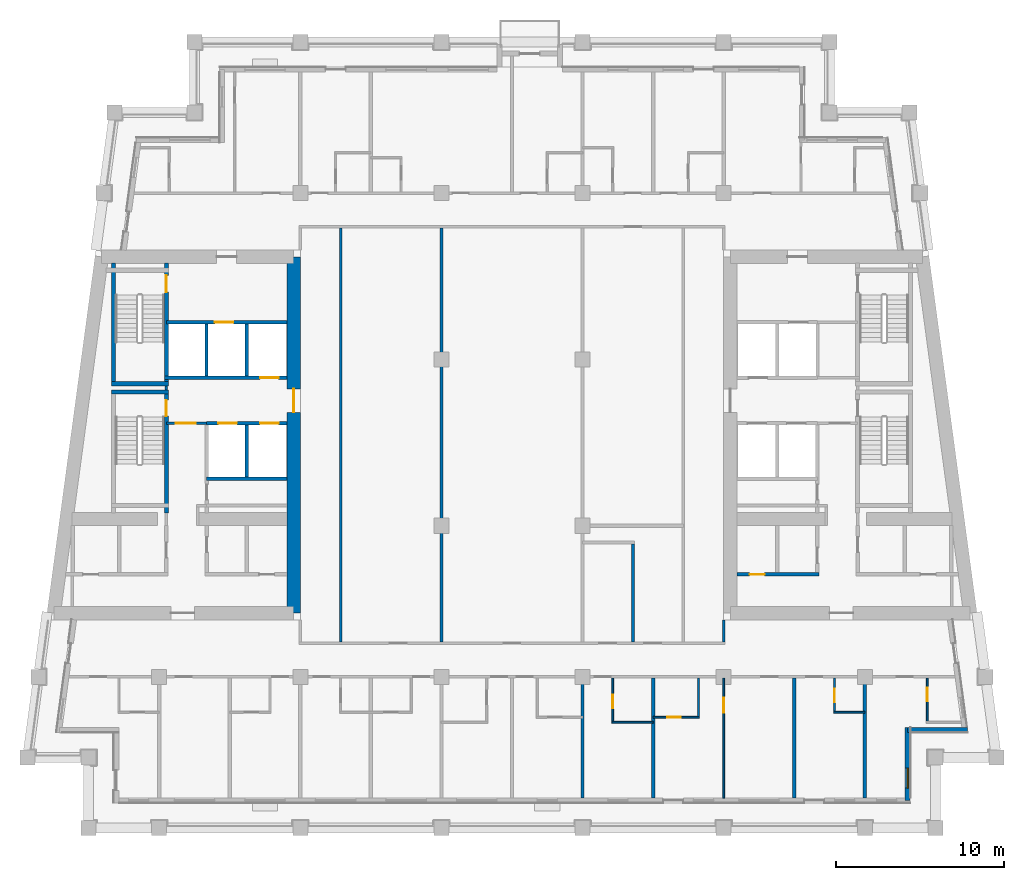
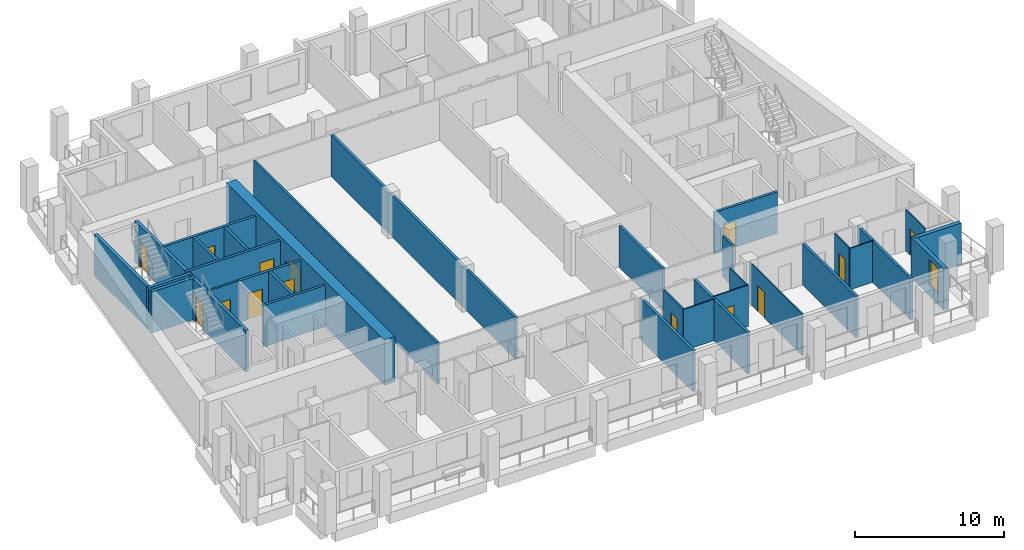
# One storey, part 4 of 13: 34 walls, 14 doors, 1 window, 15 openings.
"""IFC4 building model written with IfcOpenShell, lengths in metres."""

from ifc_helpers import new_model, si_unit, direction, frame, frame_2d, origin, place, context, subcontext, project, spatial, rectangle, extrude, material, layer, layer_set, type_object, element, fill, save


model = new_model("IFC4")

# Units and contexts
model_context = context("Model", 3, precision=1e-05, world=origin(), true_north=direction((0.0, 1.0)))
body_context = subcontext(model_context, "Body", "Model", "MODEL_VIEW")
ifc_project = project(units=[si_unit("LENGTHUNIT", "METRE"), si_unit("AREAUNIT", "SQUARE_METRE"), si_unit("VOLUMEUNIT", "CUBIC_METRE"), si_unit("PLANEANGLEUNIT", "RADIAN"), si_unit("MASSUNIT", "GRAM", prefix="KILO")], contexts=[model_context])

# Site, building, storey
site_placement = place(None, origin())
site = spatial("IfcSite", under=ifc_project, at=site_placement, CompositionType="ELEMENT")
building_placement = place(site_placement, origin())
building = spatial("IfcBuilding", under=site, at=building_placement, Name="Candeia Pilgrim Tower and Theatre", CompositionType="ELEMENT")
storey_placement = place(building_placement, frame((0.0, 0.0, 205.89990234375)))
storey = spatial("IfcBuildingStorey", under=building, at=storey_placement, Name="L49", CompositionType="ELEMENT", Elevation=205.89990234375)

# Wall, opening, door
ifc_material_1 = material(Name="Concrete C50/60", Category="concrete")
ifc_layer_1 = layer(ifc_material_1, 0.800048828125)
ifc_layer_set_1 = layer_set([ifc_layer_1], Name="Core wall 800 C50/60")
wall_type_1 = type_object("IfcWallType", Name="Core wall 800 C50/60", PredefinedType="SHEAR", material=ifc_layer_set_1)
wall_1_placement = place(storey_placement, frame((100.39990234375, 132.0, 0.0), z_axis=(0.0, 0.0, 1.0), x_axis=(0.0, -1.0, 0.0)))
wall_1 = element("IfcWall", 1, at=wall_1_placement, inside=storey, type_object=wall_type_1, Name="Core wall W2", PredefinedType="SHEAR", context=body_context, shape_type="SweptSolid", body=[
    extrude(rectangle(XDim=21.199951171875, YDim=0.800048828125, at=frame_2d((10.60009765625, 0.0))), origin(), (0.0, 0.0, 1.0), 3.7001953125),
])
opening_1_placement = place(wall_1_placement, frame((7.85009765625, 0.0, 0.0)))
opening_1 = element("IfcOpeningElement", 2, at=opening_1_placement, cuts=wall_1, Name="Opening L49-D062", PredefinedType="OPENING", context=body_context, shape_type="SweptSolid", body=[
    extrude(rectangle(XDim=1.39990234375, YDim=2.10009765625, at=frame_2d((0.699951171875, 1.050048828125))), frame((0.0, 0.41015625, 0.0), z_axis=(0.0, -1.0, 0.0), x_axis=(1.0, 0.0, 0.0)), (0.0, 0.0, 1.0), 0.820068359375),
])
ifc_material_2 = material(Name="Steel fire door set", Category="steel")
door_type_1 = type_object("IfcDoorType", Name="D-1400-FD60", OperationType="NOTDEFINED", PredefinedType="DOOR", material=ifc_material_2)
door_1_placement = place(opening_1_placement, origin())
door_1 = element("IfcDoor", 3, at=door_1_placement, inside=storey, type_object=door_type_1, Name="Door L49-D062", OperationType="SINGLE_SWING_LEFT", OverallHeight=2.10009765625, OverallWidth=1.39990234375, PredefinedType="DOOR", context=body_context, shape_type="SweptSolid", body=[
    extrude(rectangle(XDim=1.39990234375, YDim=2.10009765625, at=frame_2d((0.699951171875, 1.050048828125))), frame((0.0, 0.02490234375, 0.0), z_axis=(0.0, -1.0, 0.0), x_axis=(1.0, 0.0, 0.0)), (0.0, 0.0, 1.0), 0.050048828125),
])
fill(opening_1, door_1)

# Wall, opening, window
ifc_material_3 = material(Name="Ceramic block masonry", Category="masonry")
ifc_layer_2 = layer(ifc_material_3, 0.300048828125)
ifc_layer_set_2 = layer_set([ifc_layer_2], Name="EW1 glazing-line wall 300")
wall_type_2 = type_object("IfcWallType", Name="EW1 glazing-line wall 300", PredefinedType="SOLIDWALL", material=ifc_layer_set_2)
wall_2_placement = place(storey_placement, frame((136.949951171875, 99.64990234375, 0.0), z_axis=(0.0, 0.0, 1.0), x_axis=(0.0, 1.0, 0.0)))
wall_2 = element("IfcWall", 4, at=wall_2_placement, inside=storey, type_object=wall_type_2, Name="External wall L49-1.0", PredefinedType="SOLIDWALL", context=body_context, shape_type="SweptSolid", body=[
    extrude(rectangle(XDim=4.35009765625, YDim=0.300048828125, at=frame_2d((2.175048828125, 0.0))), origin(), (0.0, 0.0, 1.0), 3.380126953125),
])
opening_2_placement = place(wall_2_placement, frame((0.72509765625, 0.0, 0.89990234375)))
opening_2 = element("IfcOpeningElement", 5, at=opening_2_placement, cuts=wall_2, Name="Opening W-B", PredefinedType="OPENING", context=body_context, shape_type="SweptSolid", body=[
    extrude(rectangle(XDim=1.199951171875, YDim=2.10009765625, at=frame_2d((0.60009765625, 1.050048828125))), frame((0.0, 0.16015625, 0.0), z_axis=(0.0, -1.0, 0.0), x_axis=(1.0, 0.0, 0.0)), (0.0, 0.0, 1.0), 0.320068359375),
])
ifc_material_4 = material(Name="Aluminium framed double glazing", Category="aluminium")
window_type = type_object("IfcWindowType", Name="W-B window 1200x2100", PartitioningType="SINGLE_PANEL", PredefinedType="WINDOW", material=ifc_material_4)
window_placement = place(opening_2_placement, origin())
window = element("IfcWindow", 6, at=window_placement, inside=storey, type_object=window_type, Name="Window W-B L49", OverallHeight=2.10009765625, OverallWidth=1.199951171875, PartitioningType="SINGLE_PANEL", PredefinedType="WINDOW", context=body_context, shape_type="SweptSolid", body=[
    extrude(rectangle(XDim=1.199951171875, YDim=2.10009765625, at=frame_2d((0.60009765625, 1.050048828125))), frame((0.0, 0.030029296875, 0.0), z_axis=(0.0, -1.0, 0.0), x_axis=(1.0, 0.0, 0.0)), (0.0, 0.0, 1.0), 0.06005859375),
])
fill(opening_2, window)

# Walls
wall_3_placement = place(storey_placement, frame((136.949951171875, 103.85009765625, 0.0), z_axis=(0.0, 0.0, 1.0), x_axis=(1.0, 0.0, 0.0)))
element("IfcWall", 7, at=wall_3_placement, inside=storey, type_object=wall_type_2, Name="External wall L49-2.0", PredefinedType="SOLIDWALL", context=body_context, shape_type="SweptSolid", body=[
    extrude(rectangle(XDim=3.569091796875, YDim=0.300048828125, at=frame_2d((1.78466796875, 0.0))), origin(), (0.0, 0.0, 1.0), 3.380126953125),
])
ifc_material_5 = material(Name="Gypsum board partition on steel studs", Category="steel")
ifc_layer_3 = layer(ifc_material_5, 0.10009765625)
ifc_layer_set_3 = layer_set([ifc_layer_3], Name="PW-100 room partition")
wall_type_3 = type_object("IfcWallType", Name="PW-100 room partition", PredefinedType="PARTITIONING", material=ifc_layer_set_3)
wall_4_placement = place(storey_placement, frame((119.35009765625, 104.300048828125, 0.0), z_axis=(0.0, 0.0, 1.0), x_axis=(1.0, 0.0, 0.0)))
element("IfcWall", 8, at=wall_4_placement, inside=storey, type_object=wall_type_3, Name="Room partition L49-002", PredefinedType="PARTITIONING", context=body_context, shape_type="SweptSolid", body=[
    extrude(rectangle(XDim=2.449951171875, YDim=0.10009765625, at=frame_2d((1.22509765625, 0.0))), origin(), (0.0, 0.0, 1.0), 3.380126953125),
])

# Wall, opening, door
wall_5_placement = place(storey_placement, frame((121.800048828125, 104.60009765625, 0.0), z_axis=(0.0, 0.0, 1.0), x_axis=(1.0, 0.0, 0.0)))
wall_5 = element("IfcWall", 9, at=wall_5_placement, inside=storey, type_object=wall_type_3, Name="Room partition L49-005", PredefinedType="PARTITIONING", context=body_context, shape_type="SweptSolid", body=[
    extrude(rectangle(XDim=2.75, YDim=0.10009765625, at=frame_2d((1.375, 0.0))), origin(), (0.0, 0.0, 1.0), 3.380126953125),
])
opening_3_placement = place(wall_5_placement, frame((0.830078125, 0.0, 0.0)))
opening_3 = element("IfcOpeningElement", 10, at=opening_3_placement, cuts=wall_5, Name="Opening L49-D034", PredefinedType="OPENING", context=body_context, shape_type="SweptSolid", body=[
    extrude(rectangle(XDim=0.800048828125, YDim=2.10009765625, at=frame_2d((0.39990234375, 1.050048828125))), frame((0.0, 0.06005859375, 0.0), z_axis=(0.0, -1.0, 0.0), x_axis=(1.0, 0.0, 0.0)), (0.0, 0.0, 1.0), 0.1201171875),
])
ifc_material_6 = material(Name="Timber door leaf", Category="wood")
door_type_2 = type_object("IfcDoorType", Name="D-800", OperationType="NOTDEFINED", PredefinedType="DOOR", material=ifc_material_6)
door_2_placement = place(opening_3_placement, origin())
door_2 = element("IfcDoor", 11, at=door_2_placement, inside=storey, type_object=door_type_2, Name="Door L49-D034", OperationType="SINGLE_SWING_LEFT", OverallHeight=2.10009765625, OverallWidth=0.800048828125, PredefinedType="DOOR", context=body_context, shape_type="SweptSolid", body=[
    extrude(rectangle(XDim=0.800048828125, YDim=2.10009765625, at=frame_2d((0.39990234375, 1.050048828125))), frame((0.0, 0.02490234375, 0.0), z_axis=(0.0, -1.0, 0.0), x_axis=(1.0, 0.0, 0.0)), (0.0, 0.0, 1.0), 0.050048828125),
])
fill(opening_3, door_2)

# Wall
wall_6_placement = place(storey_placement, frame((132.550048828125, 104.89990234375, 0.0), z_axis=(0.0, 0.0, 1.0), x_axis=(1.0, 0.0, 0.0)))
element("IfcWall", 12, at=wall_6_placement, inside=storey, type_object=wall_type_3, Name="Room partition L49-009", PredefinedType="PARTITIONING", context=body_context, shape_type="SweptSolid", body=[
    extrude(rectangle(XDim=1.849853515625, YDim=0.10009765625, at=frame_2d((0.9248046875, 0.0))), origin(), (0.0, 0.0, 1.0), 3.380126953125),
])

# Wall, opening, door
wall_7_placement = place(storey_placement, frame((119.39990234375, 104.35009765625, 0.0), z_axis=(0.0, 0.0, 1.0), x_axis=(0.0, 1.0, 0.0)))
wall_7 = element("IfcWall", 13, at=wall_7_placement, inside=storey, type_object=wall_type_3, Name="Room partition L49-095", PredefinedType="PARTITIONING", context=body_context, shape_type="SweptSolid", body=[
    extrude(rectangle(XDim=2.574951171875, YDim=0.10009765625, at=frame_2d((1.28759765625, 0.0))), origin(), (0.0, 0.0, 1.0), 3.380126953125),
])
opening_4_placement = place(wall_7_placement, frame((0.780029296875, 0.0, 0.0)))
opening_4 = element("IfcOpeningElement", 14, at=opening_4_placement, cuts=wall_7, Name="Opening L49-D031", PredefinedType="OPENING", context=body_context, shape_type="SweptSolid", body=[
    extrude(rectangle(XDim=0.800048828125, YDim=2.10009765625, at=frame_2d((0.39990234375, 1.050048828125))), frame((0.0, 0.06005859375, 0.0), z_axis=(0.0, -1.0, 0.0), x_axis=(1.0, 0.0, 0.0)), (0.0, 0.0, 1.0), 0.1201171875),
])
door_3_placement = place(opening_4_placement, origin())
door_3 = element("IfcDoor", 15, at=door_3_placement, inside=storey, type_object=door_type_2, Name="Door L49-D031", OperationType="SINGLE_SWING_RIGHT", OverallHeight=2.10009765625, OverallWidth=0.800048828125, PredefinedType="DOOR", context=body_context, shape_type="SweptSolid", body=[
    extrude(rectangle(XDim=0.800048828125, YDim=2.10009765625, at=frame_2d((0.39990234375, 1.050048828125))), frame((0.0, 0.02490234375, 0.0), z_axis=(0.0, -1.0, 0.0), x_axis=(1.0, 0.0, 0.0)), (0.0, 0.0, 1.0), 0.050048828125),
])
fill(opening_4, door_3)

# Wall
wall_8_placement = place(storey_placement, frame((124.5, 104.64990234375, 0.0), z_axis=(0.0, 0.0, 1.0), x_axis=(0.0, 1.0, 0.0)))
element("IfcWall", 16, at=wall_8_placement, inside=storey, type_object=wall_type_3, Name="Room partition L49-102", PredefinedType="PARTITIONING", context=body_context, shape_type="SweptSolid", body=[
    extrude(rectangle(XDim=2.275146484375, YDim=0.10009765625, at=frame_2d((1.1376953125, 0.0))), origin(), (0.0, 0.0, 1.0), 3.380126953125),
])

# Wall, opening, door
wall_9_placement = place(storey_placement, frame((126.0, 99.7900390625, 0.0), z_axis=(0.0, 0.0, 1.0), x_axis=(0.0, 1.0, 0.0)))
wall_9 = element("IfcWall", 17, at=wall_9_placement, inside=storey, type_object=wall_type_3, Name="Room partition L49-103", PredefinedType="PARTITIONING", context=body_context, shape_type="SweptSolid", body=[
    extrude(rectangle(XDim=7.135009765625, YDim=0.10009765625, at=frame_2d((3.5673828125, 0.0))), origin(), (0.0, 0.0, 1.0), 3.380126953125),
])
opening_5_placement = place(wall_9_placement, frame((5.074951171875, 0.0, 0.0)))
opening_5 = element("IfcOpeningElement", 18, at=opening_5_placement, cuts=wall_9, Name="Opening L49-D033", PredefinedType="OPENING", context=body_context, shape_type="SweptSolid", body=[
    extrude(rectangle(XDim=0.89990234375, YDim=2.10009765625, at=frame_2d((0.449951171875, 1.050048828125))), frame((0.0, 0.06005859375, 0.0), z_axis=(0.0, -1.0, 0.0), x_axis=(1.0, 0.0, 0.0)), (0.0, 0.0, 1.0), 0.1201171875),
])
door_type_3 = type_object("IfcDoorType", Name="D-900", OperationType="NOTDEFINED", PredefinedType="DOOR", material=ifc_material_6)
door_4_placement = place(opening_5_placement, origin())
door_4 = element("IfcDoor", 19, at=door_4_placement, inside=storey, type_object=door_type_3, Name="Door L49-D033", OperationType="SINGLE_SWING_RIGHT", OverallHeight=2.10009765625, OverallWidth=0.89990234375, PredefinedType="DOOR", context=body_context, shape_type="SweptSolid", body=[
    extrude(rectangle(XDim=0.89990234375, YDim=2.10009765625, at=frame_2d((0.449951171875, 1.050048828125))), frame((0.0, 0.02490234375, 0.0), z_axis=(0.0, -1.0, 0.0), x_axis=(1.0, 0.0, 0.0)), (0.0, 0.0, 1.0), 0.050048828125),
])
fill(opening_5, door_4)

wall_10_placement = place(storey_placement, frame((132.60009765625, 104.949951171875, 0.0), z_axis=(0.0, 0.0, 1.0), x_axis=(0.0, 1.0, 0.0)))
wall_10 = element("IfcWall", 20, at=wall_10_placement, inside=storey, type_object=wall_type_3, Name="Room partition L49-116", PredefinedType="PARTITIONING", context=body_context, shape_type="SweptSolid", body=[
    extrude(rectangle(XDim=1.97509765625, YDim=0.10009765625, at=frame_2d((0.987548828125, 0.0))), origin(), (0.0, 0.0, 1.0), 3.380126953125),
])
opening_6_placement = place(wall_10_placement, frame((0.5400390625, 0.0, 0.0)))
opening_6 = element("IfcOpeningElement", 21, at=opening_6_placement, cuts=wall_10, Name="Opening L49-D036", PredefinedType="OPENING", context=body_context, shape_type="SweptSolid", body=[
    extrude(rectangle(XDim=0.800048828125, YDim=2.10009765625, at=frame_2d((0.39990234375, 1.050048828125))), frame((0.0, 0.06005859375, 0.0), z_axis=(0.0, -1.0, 0.0), x_axis=(1.0, 0.0, 0.0)), (0.0, 0.0, 1.0), 0.1201171875),
])
door_5_placement = place(opening_6_placement, origin())
door_5 = element("IfcDoor", 22, at=door_5_placement, inside=storey, type_object=door_type_2, Name="Door L49-D036", OperationType="SINGLE_SWING_LEFT", OverallHeight=2.10009765625, OverallWidth=0.800048828125, PredefinedType="DOOR", context=body_context, shape_type="SweptSolid", body=[
    extrude(rectangle(XDim=0.800048828125, YDim=2.10009765625, at=frame_2d((0.39990234375, 1.050048828125))), frame((0.0, 0.02490234375, 0.0), z_axis=(0.0, -1.0, 0.0), x_axis=(1.0, 0.0, 0.0)), (0.0, 0.0, 1.0), 0.050048828125),
])
fill(opening_6, door_5)

wall_11_placement = place(storey_placement, frame((138.1201171875, 104.35009765625, 0.0), z_axis=(0.0, 0.0, 1.0), x_axis=(0.0, 1.0, 0.0)))
wall_11 = element("IfcWall", 23, at=wall_11_placement, inside=storey, type_object=wall_type_3, Name="Room partition L49-127", PredefinedType="PARTITIONING", context=body_context, shape_type="SweptSolid", body=[
    extrude(rectangle(XDim=2.574951171875, YDim=0.10009765625, at=frame_2d((1.28759765625, 0.0))), origin(), (0.0, 0.0, 1.0), 3.380126953125),
])
opening_7_placement = place(wall_11_placement, frame((1.199951171875, 0.0, 0.0)))
opening_7 = element("IfcOpeningElement", 24, at=opening_7_placement, cuts=wall_11, Name="Opening L49-D038", PredefinedType="OPENING", context=body_context, shape_type="SweptSolid", body=[
    extrude(rectangle(XDim=0.800048828125, YDim=2.10009765625, at=frame_2d((0.39990234375, 1.050048828125))), frame((0.0, 0.06005859375, 0.0), z_axis=(0.0, -1.0, 0.0), x_axis=(1.0, 0.0, 0.0)), (0.0, 0.0, 1.0), 0.1201171875),
])
door_6_placement = place(opening_7_placement, origin())
door_6 = element("IfcDoor", 25, at=door_6_placement, inside=storey, type_object=door_type_2, Name="Door L49-D038", OperationType="SINGLE_SWING_LEFT", OverallHeight=2.10009765625, OverallWidth=0.800048828125, PredefinedType="DOOR", context=body_context, shape_type="SweptSolid", body=[
    extrude(rectangle(XDim=0.800048828125, YDim=2.10009765625, at=frame_2d((0.39990234375, 1.050048828125))), frame((0.0, 0.02490234375, 0.0), z_axis=(0.0, -1.0, 0.0), x_axis=(1.0, 0.0, 0.0)), (0.0, 0.0, 1.0), 0.050048828125),
])
fill(opening_7, door_6)

ifc_layer_4 = layer(ifc_material_5, 0.14990234375)
ifc_layer_set_4 = layer_set([ifc_layer_4], Name="PW-150 lobby wall")
wall_type_4 = type_object("IfcWallType", Name="PW-150 lobby wall", PredefinedType="PARTITIONING", material=ifc_layer_set_4)
wall_12_placement = place(storey_placement, frame((92.826904296875, 122.10009765625, 0.0), z_axis=(0.0, 0.0, 1.0), x_axis=(1.0, 0.0, 0.0)))
wall_12 = element("IfcWall", 26, at=wall_12_placement, inside=storey, type_object=wall_type_4, Name="Lobby wall L49-028", PredefinedType="PARTITIONING", context=body_context, shape_type="SweptSolid", body=[
    extrude(rectangle(XDim=2.400146484375, YDim=0.14990234375, at=frame_2d((1.2001953125, 0.0))), origin(), (0.0, 0.0, 1.0), 3.380126953125),
])
opening_8_placement = place(wall_12_placement, frame((0.550048828125, 0.0, 0.0)))
opening_8 = element("IfcOpeningElement", 27, at=opening_8_placement, cuts=wall_12, Name="Opening L49-D001", PredefinedType="OPENING", context=body_context, shape_type="SweptSolid", body=[
    extrude(rectangle(XDim=1.199951171875, YDim=2.10009765625, at=frame_2d((0.60009765625, 1.050048828125))), frame((0.0, 0.0849609375, 0.0), z_axis=(0.0, -1.0, 0.0), x_axis=(1.0, 0.0, 0.0)), (0.0, 0.0, 1.0), 0.169921875),
])
door_type_4 = type_object("IfcDoorType", Name="D-1200-FD60", OperationType="NOTDEFINED", PredefinedType="DOOR", material=ifc_material_2)
door_7_placement = place(opening_8_placement, origin())
door_7 = element("IfcDoor", 28, at=door_7_placement, inside=storey, type_object=door_type_4, Name="Door L49-D001", OperationType="SINGLE_SWING_RIGHT", OverallHeight=2.10009765625, OverallWidth=1.199951171875, PredefinedType="DOOR", context=body_context, shape_type="SweptSolid", body=[
    extrude(rectangle(XDim=1.199951171875, YDim=2.10009765625, at=frame_2d((0.60009765625, 1.050048828125))), frame((0.0, 0.02490234375, 0.0), z_axis=(0.0, -1.0, 0.0), x_axis=(1.0, 0.0, 0.0)), (0.0, 0.0, 1.0), 0.050048828125),
])
fill(opening_8, door_7)

# Walls
wall_13_placement = place(storey_placement, frame((92.826904296875, 124.074951171875, 0.0), z_axis=(0.0, 0.0, 1.0), x_axis=(0.0, 1.0, 0.0)))
element("IfcWall", 29, at=wall_13_placement, inside=storey, type_object=wall_type_4, Name="Lobby wall L49-060", PredefinedType="PARTITIONING", context=body_context, shape_type="SweptSolid", body=[
    extrude(rectangle(XDim=0.25, YDim=0.14990234375, at=frame_2d((0.125, 0.0))), origin(), (0.0, 0.0, 1.0), 3.380126953125),
])
ifc_layer_5 = layer(ifc_material_5, 0.14990234375)
ifc_layer_set_5 = layer_set([ifc_layer_5], Name="PW-150 unit wall")
wall_type_5 = type_object("IfcWallType", Name="PW-150 unit wall", PredefinedType="PARTITIONING", material=ifc_layer_set_5)
wall_14_placement = place(storey_placement, frame((103.199951171875, 109.074951171875, 0.0), z_axis=(0.0, 0.0, 1.0), x_axis=(0.0, 1.0, 0.0)))
element("IfcWall", 30, at=wall_14_placement, inside=storey, type_object=wall_type_5, Name="Unit wall L49-080", PredefinedType="PARTITIONING", context=body_context, shape_type="SweptSolid", body=[
    extrude(rectangle(XDim=24.650146484375, YDim=0.14990234375, at=frame_2d((12.3251953125, 0.0))), origin(), (0.0, 0.0, 1.0), 3.380126953125),
])
wall_15_placement = place(storey_placement, frame((126.0, 109.074951171875, 0.0), z_axis=(0.0, 0.0, 1.0), x_axis=(0.0, 1.0, 0.0)))
element("IfcWall", 31, at=wall_15_placement, inside=storey, type_object=wall_type_5, Name="Unit wall L49-105", PredefinedType="PARTITIONING", context=body_context, shape_type="SweptSolid", body=[
    extrude(rectangle(XDim=1.324951171875, YDim=0.14990234375, at=frame_2d((0.66259765625, 0.0))), origin(), (0.0, 0.0, 1.0), 3.380126953125),
])
ifc_layer_6 = layer(ifc_material_5, 0.199951171875)
ifc_layer_set_6 = layer_set([ifc_layer_6], Name="PW-200 party wall")
wall_type_6 = type_object("IfcWallType", Name="PW-200 party wall", PredefinedType="PARTITIONING", material=ifc_layer_set_6)
wall_16_placement = place(storey_placement, frame((109.199951171875, 109.074951171875, 0.0), z_axis=(0.0, 0.0, 1.0), x_axis=(0.0, 1.0, 0.0)))
element("IfcWall", 32, at=wall_16_placement, inside=storey, type_object=wall_type_6, Name="Party wall L49-086", PredefinedType="PARTITIONING", context=body_context, shape_type="SweptSolid", body=[
    extrude(rectangle(XDim=24.650146484375, YDim=0.199951171875, at=frame_2d((12.3251953125, 0.0))), origin(), (0.0, 0.0, 1.0), 3.380126953125),
])
wall_17_placement = place(storey_placement, frame((117.60009765625, 99.7900390625, 0.0), z_axis=(0.0, 0.0, 1.0), x_axis=(0.0, 1.0, 0.0)))
element("IfcWall", 33, at=wall_17_placement, inside=storey, type_object=wall_type_6, Name="Party wall L49-092", PredefinedType="PARTITIONING", context=body_context, shape_type="SweptSolid", body=[
    extrude(rectangle(XDim=7.135009765625, YDim=0.199951171875, at=frame_2d((3.5673828125, 0.0))), origin(), (0.0, 0.0, 1.0), 3.380126953125),
])
wall_18_placement = place(storey_placement, frame((120.60009765625, 109.074951171875, 0.0), z_axis=(0.0, 0.0, 1.0), x_axis=(0.0, 1.0, 0.0)))
element("IfcWall", 34, at=wall_18_placement, inside=storey, type_object=wall_type_6, Name="Party wall L49-097", PredefinedType="PARTITIONING", context=body_context, shape_type="SweptSolid", body=[
    extrude(rectangle(XDim=5.824951171875, YDim=0.199951171875, at=frame_2d((2.91259765625, 0.0))), origin(), (0.0, 0.0, 1.0), 3.380126953125),
])
for number, where, z_axis, x_axis, name in (
    (35, (121.800048828125, 99.7900390625, 0.0), (0.0, 0.0, 1.0), (0.0, 1.0, 0.0), "Party wall L49-098"),
    (36, (130.199951171875, 99.7900390625, 0.0), (0.0, 0.0, 1.0), (0.0, 1.0, 0.0), "Party wall L49-110"),
    (37, (134.39990234375, 99.7900390625, 0.0), (0.0, 0.0, 1.0), (0.0, 1.0, 0.0), "Party wall L49-123"),
):
    element("IfcWall", number, at=place(storey_placement, frame(where, z_axis=z_axis, x_axis=x_axis)), inside=storey, type_object=wall_type_6, Name=name, PredefinedType="PARTITIONING", context=body_context, shape_type="SweptSolid", body=[
        extrude(rectangle(XDim=7.135009765625, YDim=0.199951171875, at=frame_2d((3.5673828125, 0.0))), origin(), (0.0, 0.0, 1.0), 3.380126953125),
    ])

# Wall, opening, door
ifc_material_7 = material(Name="Concrete C40/50", Category="concrete")
ifc_layer_7 = layer(ifc_material_7, 0.199951171875)
ifc_layer_set_7 = layer_set([ifc_layer_7], Name="SW-200 shaft wall")
wall_type_7 = type_object("IfcWallType", Name="SW-200 shaft wall", PredefinedType="PARTITIONING", material=ifc_layer_set_7)
wall_19_placement = place(storey_placement, frame((126.800048828125, 113.10009765625, 0.0), z_axis=(0.0, 0.0, 1.0), x_axis=(1.0, 0.0, 0.0)))
wall_19 = element("IfcWall", 38, at=wall_19_placement, inside=storey, type_object=wall_type_7, Name="Shaft wall L49-014", PredefinedType="PARTITIONING", context=body_context, shape_type="SweptSolid", body=[
    extrude(rectangle(XDim=4.873046875, YDim=0.199951171875, at=frame_2d((2.4365234375, 0.0))), origin(), (0.0, 0.0, 1.0), 3.380126953125),
])
opening_9_placement = place(wall_19_placement, frame((0.742919921875, 0.0, 0.0)))
opening_9 = element("IfcOpeningElement", 39, at=opening_9_placement, cuts=wall_19, Name="Opening L49-D016", PredefinedType="OPENING", context=body_context, shape_type="SweptSolid", body=[
    extrude(rectangle(XDim=0.89990234375, YDim=2.10009765625, at=frame_2d((0.449951171875, 1.050048828125))), frame((0.0, 0.10986328125, 0.0), z_axis=(0.0, -1.0, 0.0), x_axis=(1.0, 0.0, 0.0)), (0.0, 0.0, 1.0), 0.219970703125),
])
door_type_5 = type_object("IfcDoorType", Name="D-900-FD60", OperationType="NOTDEFINED", PredefinedType="DOOR", material=ifc_material_2)
door_8_placement = place(opening_9_placement, origin())
door_8 = element("IfcDoor", 40, at=door_8_placement, inside=storey, type_object=door_type_5, Name="Door L49-D016", OperationType="SINGLE_SWING_LEFT", OverallHeight=2.10009765625, OverallWidth=0.89990234375, PredefinedType="DOOR", context=body_context, shape_type="SweptSolid", body=[
    extrude(rectangle(XDim=0.89990234375, YDim=2.10009765625, at=frame_2d((0.449951171875, 1.050048828125))), frame((0.0, 0.02490234375, 0.0), z_axis=(0.0, -1.0, 0.0), x_axis=(1.0, 0.0, 0.0)), (0.0, 0.0, 1.0), 0.050048828125),
])
fill(opening_9, door_8)

# Wall
wall_20_placement = place(storey_placement, frame((95.22705078125, 118.800048828125, 0.0), z_axis=(0.0, 0.0, 1.0), x_axis=(1.0, 0.0, 0.0)))
element("IfcWall", 41, at=wall_20_placement, inside=storey, type_object=wall_type_7, Name="Shaft wall L49-024", PredefinedType="PARTITIONING", context=body_context, shape_type="SweptSolid", body=[
    extrude(rectangle(XDim=4.77294921875, YDim=0.199951171875, at=frame_2d((2.386474609375, 0.0))), origin(), (0.0, 0.0, 1.0), 3.380126953125),
])

# Wall, openings, doors
wall_21_placement = place(storey_placement, frame((95.22705078125, 122.10009765625, 0.0), z_axis=(0.0, 0.0, 1.0), x_axis=(1.0, 0.0, 0.0)))
wall_21 = element("IfcWall", 42, at=wall_21_placement, inside=storey, type_object=wall_type_7, Name="Shaft wall L49-026", PredefinedType="PARTITIONING", context=body_context, shape_type="SweptSolid", body=[
    extrude(rectangle(XDim=4.77294921875, YDim=0.199951171875, at=frame_2d((2.386474609375, 0.0))), origin(), (0.0, 0.0, 1.0), 3.380126953125),
])
opening_10_placement = place(wall_21_placement, frame((0.701904296875, 0.0, 0.0)))
opening_10 = element("IfcOpeningElement", 43, at=opening_10_placement, cuts=wall_21, Name="Opening L49-LD01", PredefinedType="OPENING", context=body_context, shape_type="SweptSolid", body=[
    extrude(rectangle(XDim=1.10009765625, YDim=2.10009765625, at=frame_2d((0.550048828125, 1.050048828125))), frame((0.0, 0.10986328125, 0.0), z_axis=(0.0, -1.0, 0.0), x_axis=(1.0, 0.0, 0.0)), (0.0, 0.0, 1.0), 0.219970703125),
])
opening_11_placement = place(wall_21_placement, frame((3.176025390625, 0.0, 0.0)))
opening_11 = element("IfcOpeningElement", 44, at=opening_11_placement, cuts=wall_21, Name="Opening L49-LD02", PredefinedType="OPENING", context=body_context, shape_type="SweptSolid", body=[
    extrude(rectangle(XDim=1.10009765625, YDim=2.10009765625, at=frame_2d((0.550048828125, 1.050048828125))), frame((0.0, 0.10986328125, 0.0), z_axis=(0.0, -1.0, 0.0), x_axis=(1.0, 0.0, 0.0)), (0.0, 0.0, 1.0), 0.219970703125),
])
ifc_material_8 = material(Name="Glazed aluminium landing door", Category="aluminium")
door_type_6 = type_object("IfcDoorType", Name="LD-1100-EI120", OperationType="SLIDING_TO_LEFT", PredefinedType="DOOR", material=ifc_material_8)
door_9_placement = place(opening_10_placement, origin())
door_9 = element("IfcDoor", 45, at=door_9_placement, inside=storey, type_object=door_type_6, Name="Landing door 01 L49", OperationType="SLIDING_TO_LEFT", OverallHeight=2.10009765625, OverallWidth=1.10009765625, PredefinedType="DOOR", context=body_context, shape_type="SweptSolid", body=[
    extrude(rectangle(XDim=1.10009765625, YDim=2.10009765625, at=frame_2d((0.550048828125, 1.050048828125))), frame((0.0, 0.02490234375, 0.0), z_axis=(0.0, -1.0, 0.0), x_axis=(1.0, 0.0, 0.0)), (0.0, 0.0, 1.0), 0.050048828125),
])
fill(opening_10, door_9)
door_10_placement = place(opening_11_placement, origin())
door_10 = element("IfcDoor", 46, at=door_10_placement, inside=storey, type_object=door_type_6, Name="Landing door 02 L49", OperationType="SLIDING_TO_LEFT", OverallHeight=2.10009765625, OverallWidth=1.10009765625, PredefinedType="DOOR", context=body_context, shape_type="SweptSolid", body=[
    extrude(rectangle(XDim=1.10009765625, YDim=2.10009765625, at=frame_2d((0.550048828125, 1.050048828125))), frame((0.0, 0.02490234375, 0.0), z_axis=(0.0, -1.0, 0.0), x_axis=(1.0, 0.0, 0.0)), (0.0, 0.0, 1.0), 0.050048828125),
])
fill(opening_11, door_10)

# Wall, opening, door
wall_22_placement = place(storey_placement, frame((92.701904296875, 124.800048828125, 0.0), z_axis=(0.0, 0.0, 1.0), x_axis=(1.0, 0.0, 0.0)))
wall_22 = element("IfcWall", 47, at=wall_22_placement, inside=storey, type_object=wall_type_7, Name="Shaft wall L49-034", PredefinedType="PARTITIONING", context=body_context, shape_type="SweptSolid", body=[
    extrude(rectangle(XDim=7.298095703125, YDim=0.199951171875, at=frame_2d((3.64892578125, 0.0))), origin(), (0.0, 0.0, 1.0), 3.380126953125),
])
opening_12_placement = place(wall_22_placement, frame((5.699951171875, 0.0, 0.0)))
opening_12 = element("IfcOpeningElement", 48, at=opening_12_placement, cuts=wall_22, Name="Opening L49-LD04", PredefinedType="OPENING", context=body_context, shape_type="SweptSolid", body=[
    extrude(rectangle(XDim=1.10009765625, YDim=2.10009765625, at=frame_2d((0.550048828125, 1.050048828125))), frame((0.0, 0.10986328125, 0.0), z_axis=(0.0, -1.0, 0.0), x_axis=(1.0, 0.0, 0.0)), (0.0, 0.0, 1.0), 0.219970703125),
])
door_11_placement = place(opening_12_placement, origin())
door_11 = element("IfcDoor", 49, at=door_11_placement, inside=storey, type_object=door_type_6, Name="Landing door 04 L49", OperationType="SLIDING_TO_LEFT", OverallHeight=2.10009765625, OverallWidth=1.10009765625, PredefinedType="DOOR", context=body_context, shape_type="SweptSolid", body=[
    extrude(rectangle(XDim=1.10009765625, YDim=2.10009765625, at=frame_2d((0.550048828125, 1.050048828125))), frame((0.0, 0.02490234375, 0.0), z_axis=(0.0, -1.0, 0.0), x_axis=(1.0, 0.0, 0.0)), (0.0, 0.0, 1.0), 0.050048828125),
])
fill(opening_12, door_11)

wall_23_placement = place(storey_placement, frame((92.826904296875, 128.10009765625, 0.0), z_axis=(0.0, 0.0, 1.0), x_axis=(1.0, 0.0, 0.0)))
wall_23 = element("IfcWall", 50, at=wall_23_placement, inside=storey, type_object=wall_type_7, Name="Shaft wall L49-037", PredefinedType="PARTITIONING", context=body_context, shape_type="SweptSolid", body=[
    extrude(rectangle(XDim=7.173095703125, YDim=0.199951171875, at=frame_2d((3.58642578125, 0.0))), origin(), (0.0, 0.0, 1.0), 3.380126953125),
])
opening_13_placement = place(wall_23_placement, frame((2.888916015625, 0.0, 0.0)))
opening_13 = element("IfcOpeningElement", 51, at=opening_13_placement, cuts=wall_23, Name="Opening L49-LD03", PredefinedType="OPENING", context=body_context, shape_type="SweptSolid", body=[
    extrude(rectangle(XDim=1.10009765625, YDim=2.10009765625, at=frame_2d((0.550048828125, 1.050048828125))), frame((0.0, 0.10986328125, 0.0), z_axis=(0.0, -1.0, 0.0), x_axis=(1.0, 0.0, 0.0)), (0.0, 0.0, 1.0), 0.219970703125),
])
door_12_placement = place(opening_13_placement, origin())
door_12 = element("IfcDoor", 52, at=door_12_placement, inside=storey, type_object=door_type_6, Name="Landing door 03 L49", OperationType="SLIDING_TO_LEFT", OverallHeight=2.10009765625, OverallWidth=1.10009765625, PredefinedType="DOOR", context=body_context, shape_type="SweptSolid", body=[
    extrude(rectangle(XDim=1.10009765625, YDim=2.10009765625, at=frame_2d((0.550048828125, 1.050048828125))), frame((0.0, 0.02490234375, 0.0), z_axis=(0.0, -1.0, 0.0), x_axis=(1.0, 0.0, 0.0)), (0.0, 0.0, 1.0), 0.050048828125),
])
fill(opening_13, door_12)

# Walls
for number, where, z_axis, x_axis, name in (
    (53, (95.218017578125, 124.89990234375, 0.0), (0.0, 0.0, 1.0), (0.0, 1.0, 0.0), "Shaft wall L49-065"),
    (54, (97.60888671875, 124.89990234375, 0.0), (0.0, 0.0, 1.0), (0.0, 1.0, 0.0), "Shaft wall L49-070"),
    (55, (97.613525390625, 118.89990234375, 0.0), (0.0, 0.0, 1.0), (0.0, 1.0, 0.0), "Shaft wall L49-072"),
):
    element("IfcWall", number, at=place(storey_placement, frame(where, z_axis=z_axis, x_axis=x_axis)), inside=storey, type_object=wall_type_7, Name=name, PredefinedType="PARTITIONING", context=body_context, shape_type="SweptSolid", body=[
        extrude(rectangle(XDim=3.10009765625, YDim=0.199951171875, at=frame_2d((1.550048828125, 0.0))), origin(), (0.0, 0.0, 1.0), 3.380126953125),
    ])
ifc_layer_8 = layer(ifc_material_7, 0.25)
ifc_layer_set_8 = layer_set([ifc_layer_8], Name="SW-250 stair wall")
wall_type_8 = type_object("IfcWallType", Name="SW-250 stair wall", PredefinedType="PARTITIONING", material=ifc_layer_set_8)
for number, where, z_axis, x_axis, name in (
    (56, (89.552001953125, 123.949951171875, 0.0), (0.0, 0.0, 1.0), (1.0, 0.0, 0.0), "Stair wall L49-030"),
    (57, (89.552001953125, 124.449951171875, 0.0), (0.0, 0.0, 1.0), (1.0, 0.0, 0.0), "Stair wall L49-032"),
):
    element("IfcWall", number, at=place(storey_placement, frame(where, z_axis=z_axis, x_axis=x_axis)), inside=storey, type_object=wall_type_8, Name=name, PredefinedType="PARTITIONING", context=body_context, shape_type="SweptSolid", body=[
        extrude(rectangle(XDim=3.39990234375, YDim=0.25, at=frame_2d((1.699951171875, 0.0))), origin(), (0.0, 0.0, 1.0), 3.380126953125),
    ])
wall_24_placement = place(storey_placement, frame((89.677001953125, 124.574951171875, 0.0), z_axis=(0.0, 0.0, 1.0), x_axis=(0.0, 1.0, 0.0)))
element("IfcWall", 58, at=wall_24_placement, inside=storey, type_object=wall_type_8, Name="Stair wall L49-054", PredefinedType="PARTITIONING", context=body_context, shape_type="SweptSolid", body=[
    extrude(rectangle(XDim=7.054931640625, YDim=0.25, at=frame_2d((3.52734375, 0.0))), origin(), (0.0, 0.0, 1.0), 3.380126953125),
])

# Wall, opening, door
wall_25_placement = place(storey_placement, frame((92.826904296875, 116.77001953125, 0.0), z_axis=(0.0, 0.0, 1.0), x_axis=(0.0, 1.0, 0.0)))
wall_25 = element("IfcWall", 59, at=wall_25_placement, inside=storey, type_object=wall_type_8, Name="Stair wall L49-061", PredefinedType="PARTITIONING", context=body_context, shape_type="SweptSolid", body=[
    extrude(rectangle(XDim=7.054931640625, YDim=0.25, at=frame_2d((3.52734375, 0.0))), origin(), (0.0, 0.0, 1.0), 3.380126953125),
])
opening_14_placement = place(wall_25_placement, frame((5.7548828125, 0.0, 0.0)))
opening_14 = element("IfcOpeningElement", 60, at=opening_14_placement, cuts=wall_25, Name="Opening L49-D002", PredefinedType="OPENING", context=body_context, shape_type="SweptSolid", body=[
    extrude(rectangle(XDim=0.949951171875, YDim=2.10009765625, at=frame_2d((0.47509765625, 1.050048828125))), frame((0.0, 0.135009765625, 0.0), z_axis=(0.0, -1.0, 0.0), x_axis=(1.0, 0.0, 0.0)), (0.0, 0.0, 1.0), 0.27001953125),
])
door_type_7 = type_object("IfcDoorType", Name="D-950-FD60", OperationType="NOTDEFINED", PredefinedType="DOOR", material=ifc_material_2)
door_13_placement = place(opening_14_placement, origin())
door_13 = element("IfcDoor", 61, at=door_13_placement, inside=storey, type_object=door_type_7, Name="Door L49-D002", OperationType="SINGLE_SWING_LEFT", OverallHeight=2.10009765625, OverallWidth=0.949951171875, PredefinedType="DOOR", context=body_context, shape_type="SweptSolid", body=[
    extrude(rectangle(XDim=0.949951171875, YDim=2.10009765625, at=frame_2d((0.47509765625, 1.050048828125))), frame((0.0, 0.02490234375, 0.0), z_axis=(0.0, -1.0, 0.0), x_axis=(1.0, 0.0, 0.0)), (0.0, 0.0, 1.0), 0.050048828125),
])
fill(opening_14, door_13)

wall_26_placement = place(storey_placement, frame((92.826904296875, 124.574951171875, 0.0), z_axis=(0.0, 0.0, 1.0), x_axis=(0.0, 1.0, 0.0)))
wall_26 = element("IfcWall", 62, at=wall_26_placement, inside=storey, type_object=wall_type_8, Name="Stair wall L49-062", PredefinedType="PARTITIONING", context=body_context, shape_type="SweptSolid", body=[
    extrude(rectangle(XDim=7.054931640625, YDim=0.25, at=frame_2d((3.52734375, 0.0))), origin(), (0.0, 0.0, 1.0), 3.380126953125),
])
opening_15_placement = place(wall_26_placement, frame((5.324951171875, 0.0, 0.0)))
opening_15 = element("IfcOpeningElement", 63, at=opening_15_placement, cuts=wall_26, Name="Opening L49-D003", PredefinedType="OPENING", context=body_context, shape_type="SweptSolid", body=[
    extrude(rectangle(XDim=1.0, YDim=2.10009765625, at=frame_2d((0.5, 1.050048828125))), frame((0.0, 0.135009765625, 0.0), z_axis=(0.0, -1.0, 0.0), x_axis=(1.0, 0.0, 0.0)), (0.0, 0.0, 1.0), 0.27001953125),
])
door_type_8 = type_object("IfcDoorType", Name="D-1000-FD60", OperationType="NOTDEFINED", PredefinedType="DOOR", material=ifc_material_2)
door_14_placement = place(opening_15_placement, origin())
door_14 = element("IfcDoor", 64, at=door_14_placement, inside=storey, type_object=door_type_8, Name="Door L49-D003", OperationType="SINGLE_SWING_RIGHT", OverallHeight=2.10009765625, OverallWidth=1.0, PredefinedType="DOOR", context=body_context, shape_type="SweptSolid", body=[
    extrude(rectangle(XDim=1.0, YDim=2.10009765625, at=frame_2d((0.5, 1.050048828125))), frame((0.0, 0.02490234375, 0.0), z_axis=(0.0, -1.0, 0.0), x_axis=(1.0, 0.0, 0.0)), (0.0, 0.0, 1.0), 0.050048828125),
])
fill(opening_15, door_14)

save(model, "model.ifc")
